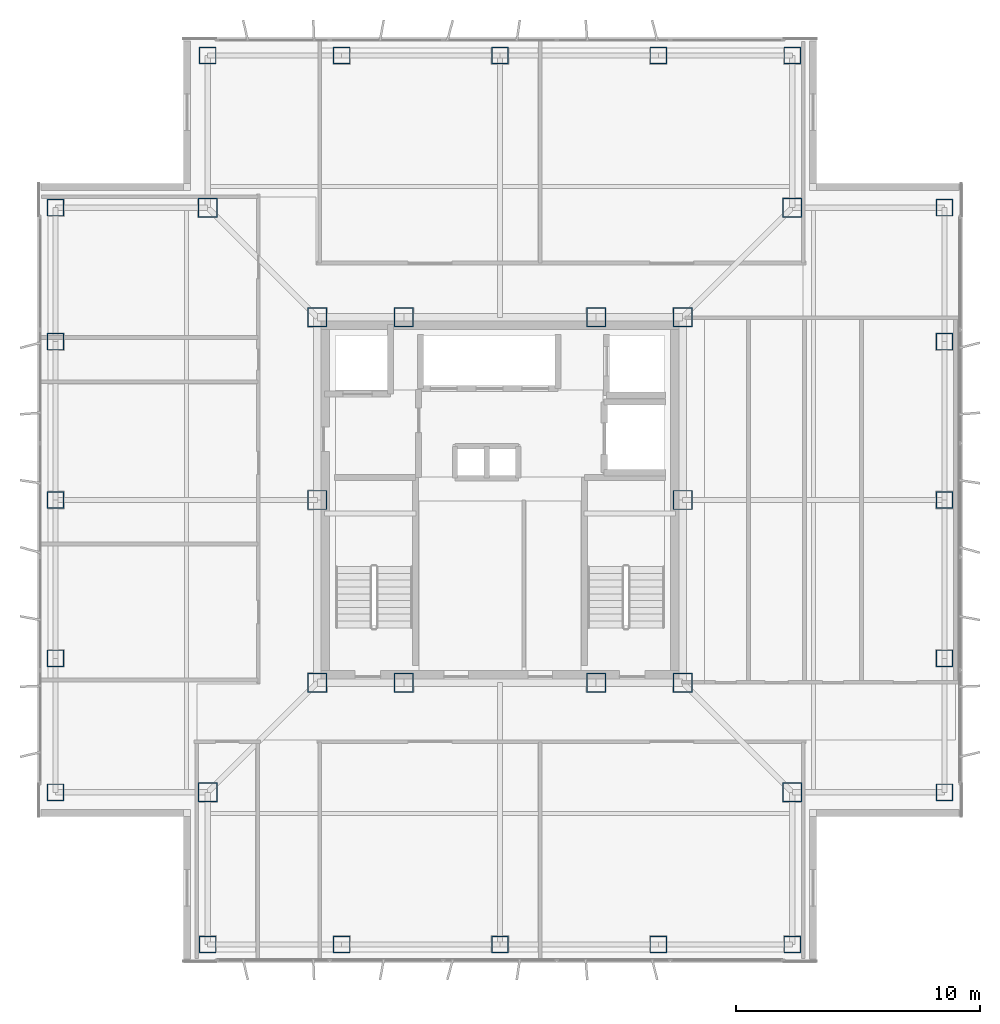
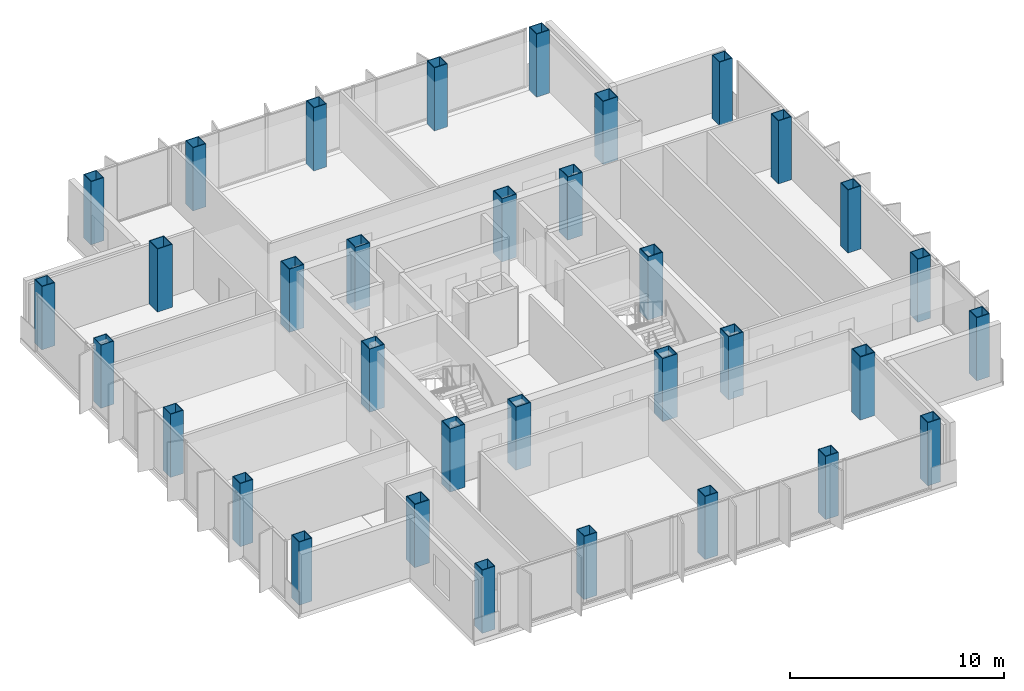
# One storey, part 1 of 15: 34 columns.
"""IFC4 building model written with IfcOpenShell, lengths in metres."""

from ifc_helpers import new_model, si_unit, direction, frame, origin, origin_2d, place, context, subcontext, project, spatial, hollow_rectangle, extrude, material, material_profile, profile_set, type_object, element, save


model = new_model("IFC4")

# Units and contexts
model_context = context("Model", 3, precision=1e-05, world=origin(), true_north=direction((0.0, 1.0)))
body_context = subcontext(model_context, "Body", "Model", "MODEL_VIEW")
ifc_project = project(units=[si_unit("LENGTHUNIT", "METRE"), si_unit("AREAUNIT", "SQUARE_METRE"), si_unit("VOLUMEUNIT", "CUBIC_METRE"), si_unit("PLANEANGLEUNIT", "RADIAN"), si_unit("MASSUNIT", "GRAM", prefix="KILO")], contexts=[model_context])

# Site, building, storey
site_placement = place(None, origin())
site = spatial("IfcSite", under=ifc_project, at=site_placement, CompositionType="ELEMENT")
building_placement = place(site_placement, origin())
building = spatial("IfcBuilding", under=site, at=building_placement, Name="Trevonay Congress Spire", CompositionType="ELEMENT")
storey_placement = place(building_placement, frame((0.0, 0.0, 282.800048828125)))
storey = spatial("IfcBuildingStorey", under=building, at=storey_placement, Name="L74", CompositionType="ELEMENT", Elevation=282.800048828125)

# Columns
ifc_material = material(Name="Steel ASTM A572 Grade 50", Category="steel")
ifc_material_profile_1 = material_profile(ifc_material, hollow_rectangle(XDim=0.800048828125, YDim=0.800048828125, WallThickness=0.0400390625, at=origin_2d()), Name="BOX 800x800x40")
ifc_profile_set_1 = profile_set([ifc_material_profile_1], Name="Steel ASTM A572 Grade 50")
column_type_1 = type_object("IfcColumnType", Name="COL-CORE-BOX800", PredefinedType="COLUMN", material=ifc_profile_set_1)
for number, where, z_axis, x_axis, name in (
    (1, (-7.5, -7.5, 0.0), (0.0, 0.0, 1.0), (1.0, 0.0, 0.0), "L74 column C05 at CC-SW"),
    (2, (-3.949951171875, -7.5, 0.0), (0.0, 0.0, 1.0), (1.0, 0.0, 0.0), "L74 column C05 at CC-SMW"),
    (3, (3.949951171875, -7.5, 0.0), (0.0, 0.0, 1.0), (1.0, 0.0, 0.0), "L74 column C05 at CC-SME"),
    (4, (7.5, -7.5, 0.0), (0.0, 0.0, 1.0), (1.0, 0.0, 0.0), "L74 column C05 at CC-SE"),
    (5, (7.5, 0.0, 0.0), (0.0, 0.0, 1.0), (1.0, 0.0, 0.0), "L74 column C05 at CC-E"),
    (6, (7.5, 7.5, 0.0), (0.0, 0.0, 1.0), (1.0, 0.0, 0.0), "L74 column C05 at CC-NE"),
    (7, (3.949951171875, 7.5, 0.0), (0.0, 0.0, 1.0), (1.0, 0.0, 0.0), "L74 column C05 at CC-NME"),
    (8, (-3.949951171875, 7.5, 0.0), (0.0, 0.0, 1.0), (1.0, 0.0, 0.0), "L74 column C05 at CC-NMW"),
    (9, (-7.5, 7.5, 0.0), (0.0, 0.0, 1.0), (1.0, 0.0, 0.0), "L74 column C05 at CC-NW"),
    (10, (-7.5, 0.0, 0.0), (0.0, 0.0, 1.0), (1.0, 0.0, 0.0), "L74 column C05 at CC-W"),
):
    element("IfcColumn", number, at=place(storey_placement, frame(where, z_axis=z_axis, x_axis=x_axis)), inside=storey, type_object=column_type_1, Name=name, PredefinedType="COLUMN", context=body_context, shape_type="SweptSolid", body=[
        extrude(hollow_rectangle(XDim=0.800048828125, YDim=0.800048828125, WallThickness=0.0400390625, at=origin_2d()), origin(), (0.0, 0.0, 1.0), 3.599853515625),
    ])
ifc_material_profile_2 = material_profile(ifc_material, hollow_rectangle(XDim=0.699951171875, YDim=0.699951171875, WallThickness=0.034912109375, at=origin_2d()), Name="BOX 700x700x35")
ifc_profile_set_2 = profile_set([ifc_material_profile_2], Name="Steel ASTM A572 Grade 50")
column_type_2 = type_object("IfcColumnType", Name="COL-TUBE-BOX700", PredefinedType="COLUMN", material=ifc_profile_set_2)
for number, where, z_axis, x_axis, name in (
    (11, (-12.0, -18.25, 0.0), (0.0, 0.0, 1.0), (1.0, 0.0, 0.0), "L74 column C17 at TS-1"),
    (12, (-12.0, 18.25, 0.0), (0.0, 0.0, 1.0), (1.0, 0.0, 0.0), "L74 column C17 at TN-1"),
    (13, (-18.25, -12.0, 0.0), (0.0, 0.0, 1.0), (1.0, 0.0, 0.0), "L74 column C17 at TW-1"),
    (14, (18.25, -12.0, 0.0), (0.0, 0.0, 1.0), (1.0, 0.0, 0.0), "L74 column C17 at TE-1"),
    (15, (-6.5, -18.25, 0.0), (0.0, 0.0, 1.0), (1.0, 0.0, 0.0), "L74 column C17 at TS-2"),
    (16, (-6.5, 18.25, 0.0), (0.0, 0.0, 1.0), (1.0, 0.0, 0.0), "L74 column C17 at TN-2"),
    (17, (-18.25, -6.5, 0.0), (0.0, 0.0, 1.0), (1.0, 0.0, 0.0), "L74 column C17 at TW-2"),
    (18, (18.25, -6.5, 0.0), (0.0, 0.0, 1.0), (1.0, 0.0, 0.0), "L74 column C17 at TE-2"),
    (19, (0.0, -18.25, 0.0), (0.0, 0.0, 1.0), (1.0, 0.0, 0.0), "L74 column C17 at TS-3"),
    (20, (0.0, 18.25, 0.0), (0.0, 0.0, 1.0), (1.0, 0.0, 0.0), "L74 column C17 at TN-3"),
    (21, (-18.25, 0.0, 0.0), (0.0, 0.0, 1.0), (1.0, 0.0, 0.0), "L74 column C17 at TW-3"),
    (22, (18.25, 0.0, 0.0), (0.0, 0.0, 1.0), (1.0, 0.0, 0.0), "L74 column C17 at TE-3"),
    (23, (6.5, -18.25, 0.0), (0.0, 0.0, 1.0), (1.0, 0.0, 0.0), "L74 column C17 at TS-4"),
    (24, (6.5, 18.25, 0.0), (0.0, 0.0, 1.0), (1.0, 0.0, 0.0), "L74 column C17 at TN-4"),
    (25, (-18.25, 6.5, 0.0), (0.0, 0.0, 1.0), (1.0, 0.0, 0.0), "L74 column C17 at TW-4"),
    (26, (18.25, 6.5, 0.0), (0.0, 0.0, 1.0), (1.0, 0.0, 0.0), "L74 column C17 at TE-4"),
    (27, (12.0, -18.25, 0.0), (0.0, 0.0, 1.0), (1.0, 0.0, 0.0), "L74 column C17 at TS-5"),
    (28, (12.0, 18.25, 0.0), (0.0, 0.0, 1.0), (1.0, 0.0, 0.0), "L74 column C17 at TN-5"),
    (29, (-18.25, 12.0, 0.0), (0.0, 0.0, 1.0), (1.0, 0.0, 0.0), "L74 column C17 at TW-5"),
    (30, (18.25, 12.0, 0.0), (0.0, 0.0, 1.0), (1.0, 0.0, 0.0), "L74 column C17 at TE-5"),
):
    element("IfcColumn", number, at=place(storey_placement, frame(where, z_axis=z_axis, x_axis=x_axis)), inside=storey, type_object=column_type_2, Name=name, PredefinedType="COLUMN", context=body_context, shape_type="SweptSolid", body=[
        extrude(hollow_rectangle(XDim=0.699951171875, YDim=0.699951171875, WallThickness=0.034912109375, at=origin_2d()), origin(), (0.0, 0.0, 1.0), 3.599853515625),
    ])
ifc_material_profile_3 = material_profile(ifc_material, hollow_rectangle(XDim=0.800048828125, YDim=0.800048828125, WallThickness=0.0400390625, at=origin_2d()), Name="BOX 800x800x40")
ifc_profile_set_3 = profile_set([ifc_material_profile_3], Name="Steel ASTM A572 Grade 50")
column_type_3 = type_object("IfcColumnType", Name="COL-TUBE-BOX800", PredefinedType="COLUMN", material=ifc_profile_set_3)
for number, where, z_axis, x_axis, name in (
    (31, (-12.0, -12.0, 0.0), (0.0, 0.0, 1.0), (1.0, 0.0, 0.0), "L74 column C16 at NC-SW"),
    (32, (12.0, -12.0, 0.0), (0.0, 0.0, 1.0), (1.0, 0.0, 0.0), "L74 column C16 at NC-SE"),
    (33, (12.0, 12.0, 0.0), (0.0, 0.0, 1.0), (1.0, 0.0, 0.0), "L74 column C16 at NC-NE"),
    (34, (-12.0, 12.0, 0.0), (0.0, 0.0, 1.0), (1.0, 0.0, 0.0), "L74 column C16 at NC-NW"),
):
    element("IfcColumn", number, at=place(storey_placement, frame(where, z_axis=z_axis, x_axis=x_axis)), inside=storey, type_object=column_type_3, Name=name, PredefinedType="COLUMN", context=body_context, shape_type="SweptSolid", body=[
        extrude(hollow_rectangle(XDim=0.800048828125, YDim=0.800048828125, WallThickness=0.0400390625, at=origin_2d()), origin(), (0.0, 0.0, 1.0), 3.599853515625),
    ])

save(model, "model.ifc")
